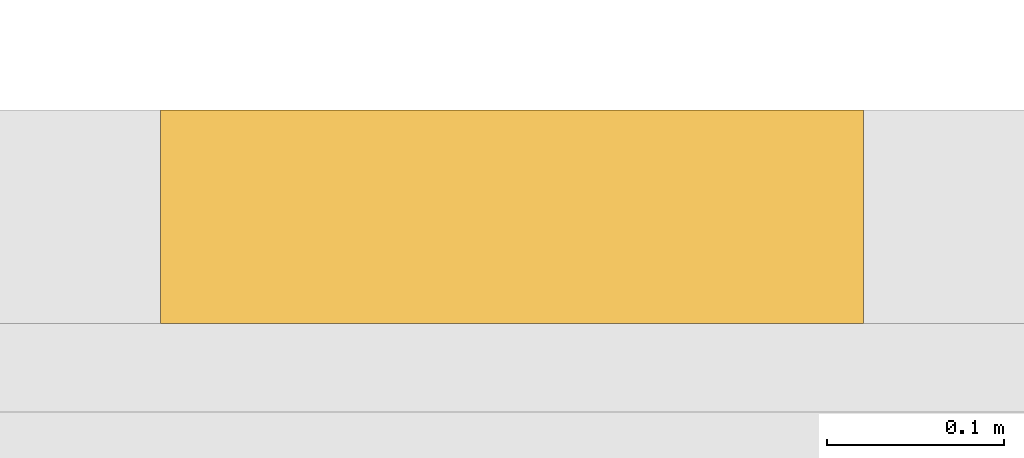
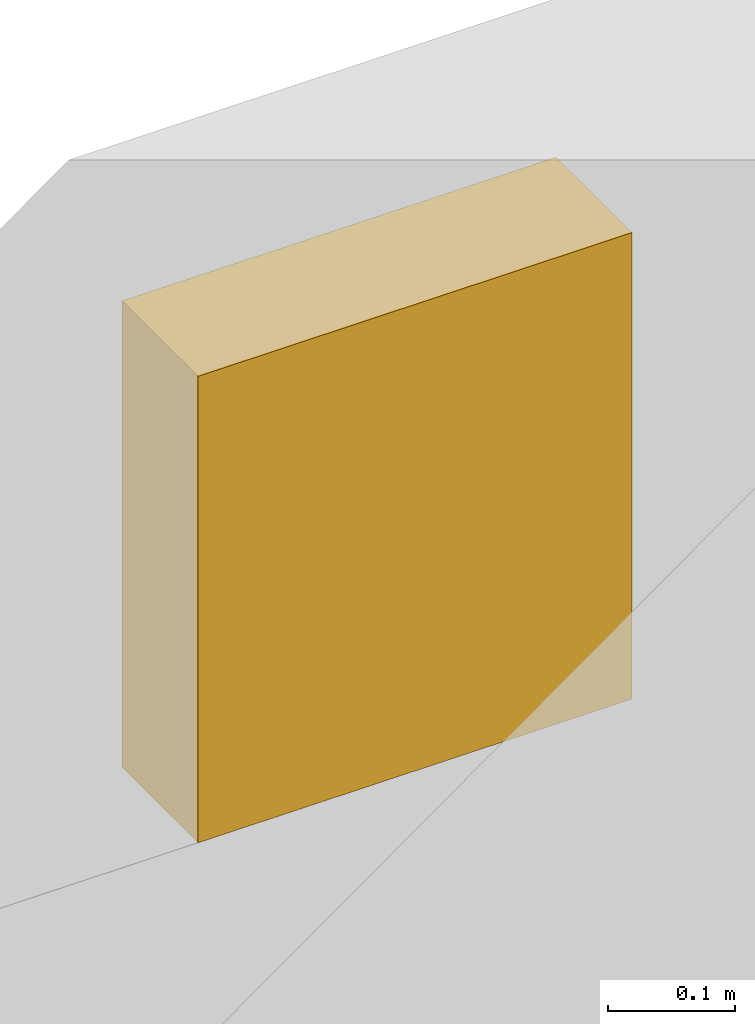
# One storey, part 6 of 6: 1 covering.
"""IFC4 building model written with IfcOpenShell, lengths in metres."""

from ifc_helpers import new_model, si_unit, direction, frame, origin, place, context, subcontext, project, spatial, polyline, outline, extrude, material, type_object, element, save


model = new_model("IFC4")

# Units and contexts
model_context = context("Model", 3, precision=1e-05, world=origin(), true_north=direction((0.0, 1.0)))
body_context = subcontext(model_context, "Body", "Model", "MODEL_VIEW")
ifc_project = project(units=[si_unit("LENGTHUNIT", "METRE"), si_unit("AREAUNIT", "SQUARE_METRE"), si_unit("VOLUMEUNIT", "CUBIC_METRE"), si_unit("PLANEANGLEUNIT", "RADIAN"), si_unit("MASSUNIT", "GRAM", prefix="KILO")], contexts=[model_context])

# Site, building, storey
site_placement = place(None, origin())
site = spatial("IfcSite", under=ifc_project, at=site_placement, CompositionType="ELEMENT")
building_placement = place(site_placement, origin())
building = spatial("IfcBuilding", under=site, at=building_placement, Name="Vermilion Ogive Tower", CompositionType="ELEMENT")
storey_placement = place(building_placement, frame((0.0, 0.0, 302.85009765625)))
storey = spatial("IfcBuildingStorey", under=building, at=storey_placement, Name="RF", CompositionType="ELEMENT", Elevation=302.85009765625)

# Covering
ifc_material = material(Name="Stone cladding", Category="masonry")
covering_type = type_object("IfcCoveringType", Name="Lancet panel", PredefinedType="CLADDING", material=ifc_material)
covering_placement = place(storey_placement, frame((0.0, 0.0, 6.099853515625)))
element("IfcCovering", 1, at=covering_placement, inside=storey, type_object=covering_type, Name="Lancet panel RFN4E", PredefinedType="CLADDING", context=body_context, shape_type="SweptSolid", body=[
    extrude(outline(polyline([(6.10205078125, 21.75), (6.498046875, 21.75), (6.498046875, 21.8701171875), (6.10205078125, 21.8701171875), (6.10205078125, 21.75)])), origin(), (0.0, 0.0, 1.0), 0.449951171875),
])

save(model, "model.ifc")
